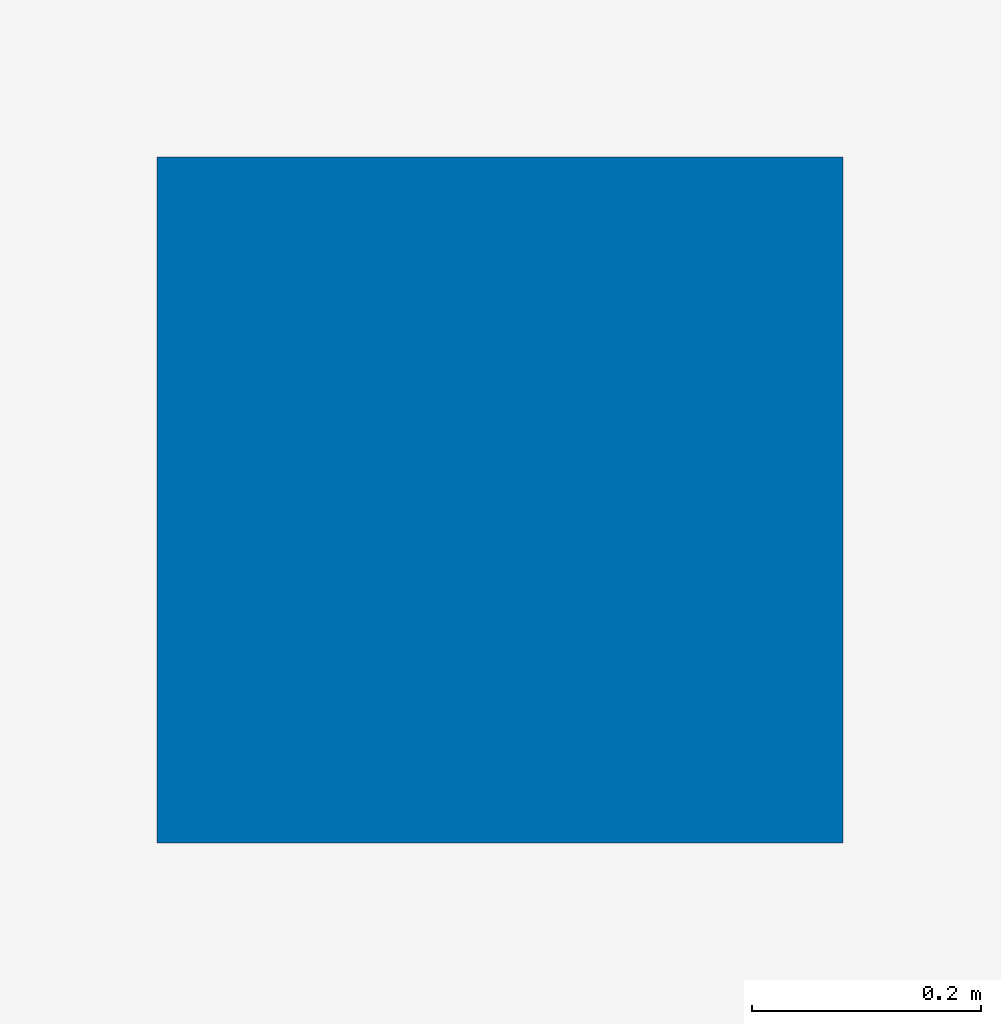
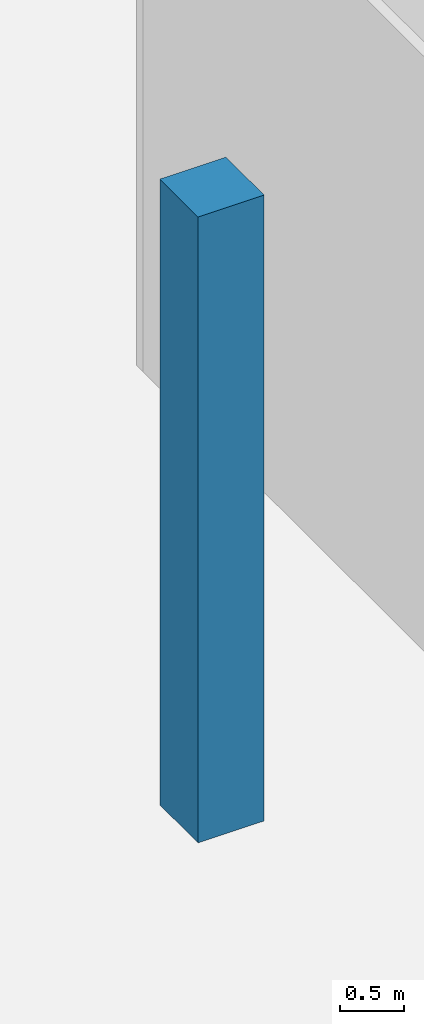
# One storey, part 2 of 74: 1 column.
"""IFC4 building model written with IfcOpenShell, lengths in metres."""

from ifc_helpers import new_model, si_unit, direction, frame, origin, origin_2d, place, context, subcontext, project, spatial, rectangle, extrude, material, material_profile, profile_set, type_object, element, save


model = new_model("IFC4")

# Units and contexts
model_context = context("Model", 3, precision=1e-05, world=origin(), true_north=direction((0.0, 1.0)))
body_context = subcontext(model_context, "Body", "Model", "MODEL_VIEW")
ifc_project = project(units=[si_unit("LENGTHUNIT", "METRE"), si_unit("AREAUNIT", "SQUARE_METRE"), si_unit("VOLUMEUNIT", "CUBIC_METRE"), si_unit("PLANEANGLEUNIT", "RADIAN"), si_unit("MASSUNIT", "GRAM", prefix="KILO")], contexts=[model_context])

# Site, building, storey
site_placement = place(None, origin())
site = spatial("IfcSite", under=ifc_project, at=site_placement, CompositionType="ELEMENT")
building_placement = place(site_placement, origin())
building = spatial("IfcBuilding", under=site, at=building_placement, Name="Noorbagh Ring Tower", CompositionType="ELEMENT")
storey_placement = place(building_placement, frame((0.0, 0.0, 7.5)))
storey = spatial("IfcBuildingStorey", under=building, at=storey_placement, Name="L01", CompositionType="ELEMENT", Elevation=7.5)

# Column
ifc_material = material(Name="Concrete C50/60", Category="concrete")
ifc_material_profile = material_profile(ifc_material, rectangle(XDim=0.60009765625, YDim=0.60009765625, at=origin_2d()), Name="RC600x600")
ifc_profile_set = profile_set([ifc_material_profile], Name="Concrete C50/60")
column_type = type_object("IfcColumnType", Name="TH-COL-FOYER", PredefinedType="COLUMN", material=ifc_profile_set)
column_placement = place(storey_placement, frame((-104.800048828125, -14.35009765625, 0.0), z_axis=(0.0, 0.0, 1.0), x_axis=(1.0, 0.0, 0.0)))
element("IfcColumn", 1, at=column_placement, inside=storey, type_object=column_type, Name="L01/th-col/foyer-1", PredefinedType="COLUMN", context=body_context, shape_type="SweptSolid", body=[
    extrude(rectangle(XDim=0.60009765625, YDim=0.60009765625, at=origin_2d()), origin(), (0.0, 0.0, 1.0), 6.0),
])

save(model, "model.ifc")
